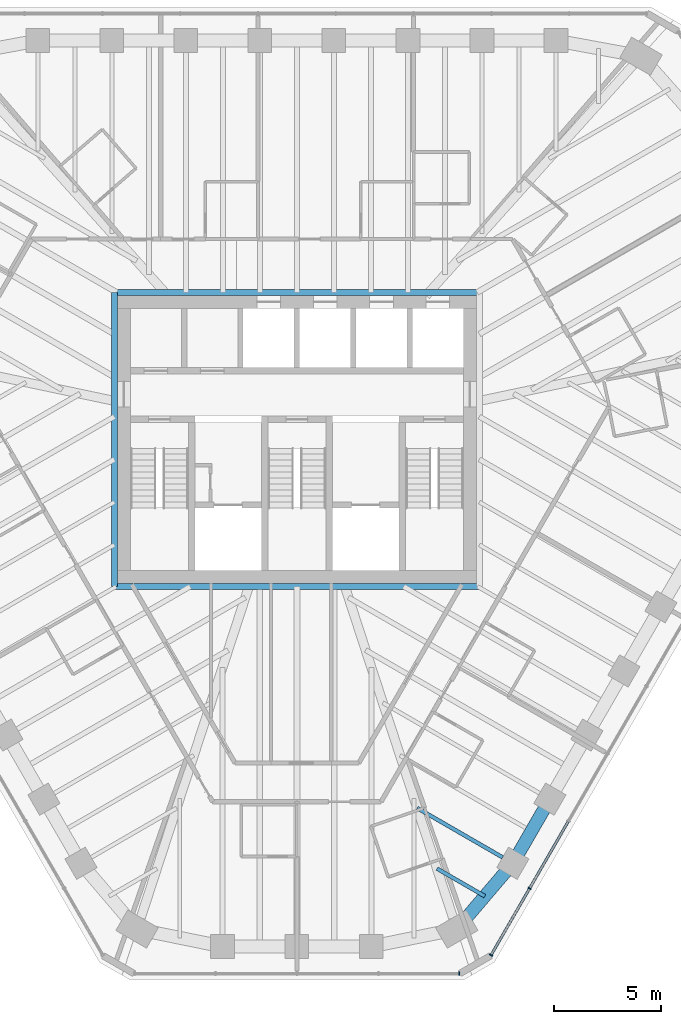
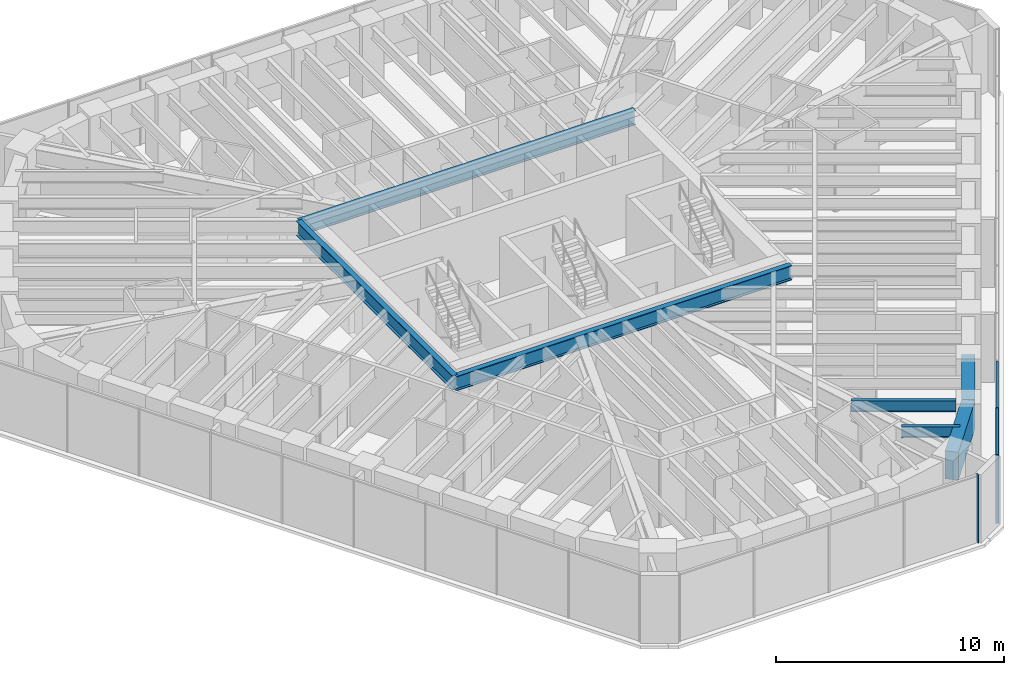
# One storey, part 4 of 14: 7 beams, 5 members, 2 elements without a shape of their own.
"""IFC4 building model written with IfcOpenShell, lengths in metres."""

from ifc_helpers import new_model, si_unit, direction, frame, origin, origin_2d, place, context, subcontext, project, spatial, rectangle, i_section, extrude, material, material_profile, profile_set, type_object, element, aggregate, save


model = new_model("IFC4")

# Units and contexts
model_context = context("Model", 3, precision=1e-05, world=origin(), true_north=direction((0.0, 1.0)))
body_context = subcontext(model_context, "Body", "Model", "MODEL_VIEW")
ifc_project = project(units=[si_unit("LENGTHUNIT", "METRE"), si_unit("AREAUNIT", "SQUARE_METRE"), si_unit("VOLUMEUNIT", "CUBIC_METRE"), si_unit("PLANEANGLEUNIT", "RADIAN"), si_unit("MASSUNIT", "GRAM", prefix="KILO")], contexts=[model_context])

# Site, building, storey
site_placement = place(None, origin())
site = spatial("IfcSite", under=ifc_project, at=site_placement, CompositionType="ELEMENT")
building_placement = place(site_placement, origin())
building = spatial("IfcBuilding", under=site, at=building_placement, Name="Sandreach Pilgrim Tower", CompositionType="ELEMENT")
storey_placement = place(building_placement, frame((0.0, 0.0, 287.39990234375)))
storey = spatial("IfcBuildingStorey", under=building, at=storey_placement, Name="L72", CompositionType="ELEMENT", Elevation=287.39990234375)

# Curtain wall, members
ifc_material_1 = material(Name="Aluminium framed curtain wall", Category="aluminium")
curtain_wall_type = type_object("IfcCurtainWallType", Name="Suite tower curtain wall", PredefinedType="NOTDEFINED", material=ifc_material_1)
curtain_wall_1_placement = place(storey_placement, origin())
curtain_wall_1 = element("IfcCurtainWall", 1, at=curtain_wall_1_placement, inside=storey, type_object=curtain_wall_type, Name="CW-4 L72 SE", PredefinedType="NOTDEFINED")
ifc_material_2 = material(Name="Aluminium extrusion", Category="aluminium")
ifc_material_profile_1 = material_profile(ifc_material_2, rectangle(XDim=0.06005859375, YDim=0.159912109375, at=origin_2d()), Name="CW-4M 60X160")
ifc_profile_set_1 = profile_set([ifc_material_profile_1], Name="Aluminium extrusion")
member_type_1 = type_object("IfcMemberType", Name="CW-4 mullion", PredefinedType="MULLION", material=ifc_profile_set_1)
member_1_placement = place(storey_placement, frame((10.83203125, -20.891357421875, 0.0), z_axis=(0.0, 0.0, 1.0), x_axis=(-0.5, -0.866025403784, 0.0)))
member_1 = element("IfcMember", 2, at=member_1_placement, type_object=member_type_1, Name="CW-4 mullion 9", PredefinedType="MULLION", context=body_context, shape_type="SweptSolid", body=[
    extrude(rectangle(XDim=0.06005859375, YDim=0.159912109375, at=origin_2d()), origin(), (0.0, 0.0, 1.0), 3.64013671875),
])
member_2_placement = place(storey_placement, frame((9.035888671875, -24.001953125, 0.0), z_axis=(0.0, 0.0, 1.0), x_axis=(-0.5, -0.866025403784, 0.0)))
member_2 = element("IfcMember", 3, at=member_2_placement, type_object=member_type_1, Name="CW-4 mullion 10", PredefinedType="MULLION", context=body_context, shape_type="SweptSolid", body=[
    extrude(rectangle(XDim=0.06005859375, YDim=0.159912109375, at=origin_2d()), origin(), (0.0, 0.0, 1.0), 3.64013671875),
])

# Curtain wall, member
curtain_wall_2_placement = place(storey_placement, origin())
curtain_wall_2 = element("IfcCurtainWall", 4, at=curtain_wall_2_placement, inside=storey, type_object=curtain_wall_type, Name="CW-4 L72 S", PredefinedType="NOTDEFINED")
member_3_placement = place(storey_placement, frame((7.553466796875, -24.858154296875, 0.0), z_axis=(0.0, 0.0, 1.0), x_axis=(-1.0, 0.0, 0.0)))
member_3 = element("IfcMember", 5, at=member_3_placement, type_object=member_type_1, Name="CW-4 mullion 1", PredefinedType="MULLION", context=body_context, shape_type="SweptSolid", body=[
    extrude(rectangle(XDim=0.06005859375, YDim=0.159912109375, at=origin_2d()), origin(), (0.0, 0.0, 1.0), 3.64013671875),
])
aggregate(curtain_wall_2, [member_3])

# Member
ifc_material_3 = material(Name="Aluminium extrusion", Category="aluminium")
ifc_material_profile_2 = material_profile(ifc_material_3, rectangle(XDim=0.1201171875, YDim=0.070068359375, at=origin_2d()), Name="CW-4T 120X70")
ifc_profile_set_2 = profile_set([ifc_material_profile_2], Name="Aluminium extrusion")
member_type_2 = type_object("IfcMemberType", Name="CW-4 transom", PredefinedType="USERDEFINED", material=ifc_profile_set_2)
member_4_placement = place(storey_placement, frame((12.6279296875, -17.78076171875, 3.60498046875), z_axis=(-0.500009219579, -0.866020080793, 0.0), x_axis=(0.866020080793, -0.500009219579, 0.0)))
member_4 = element("IfcMember", 6, at=member_4_placement, type_object=member_type_2, Name="CW-4 head transom 8", ObjectType="TRANSOM", PredefinedType="USERDEFINED", context=body_context, shape_type="SweptSolid", body=[
    extrude(rectangle(XDim=0.1201171875, YDim=0.070068359375, at=origin_2d()), origin(), (0.0, 0.0, 1.0), 3.56201171875),
])

member_5_placement = place(storey_placement, frame((10.81689453125, -20.91748046875, 3.60498046875), z_axis=(-0.499997709859, -0.866026725994, 0.0), x_axis=(0.866026725994, -0.499997709859, 0.0)))
member_5 = element("IfcMember", 7, at=member_5_placement, type_object=member_type_2, Name="CW-4 head transom 9", ObjectType="TRANSOM", PredefinedType="USERDEFINED", context=body_context, shape_type="SweptSolid", body=[
    extrude(rectangle(XDim=0.1201171875, YDim=0.070068359375, at=origin_2d()), origin(), (0.0, 0.0, 1.0), 3.53173828125),
])

aggregate(curtain_wall_1, [member_1, member_2, member_4, member_5])

# Beams
ifc_material_4 = material(Name="Steel ASTM A992 Grade 50", Category="steel")
ifc_material_profile_3 = material_profile(ifc_material_4, i_section(OverallWidth=0.2666015625, OverallDepth=0.77978515625, WebThickness=0.0166015625, FlangeThickness=0.030029296875, at=origin_2d()), Name="W30X148")
ifc_profile_set_3 = profile_set([ifc_material_profile_3], Name="Steel ASTM A992 Grade 50")
beam_type_1 = type_object("IfcBeamType", Name="Core edge beam W30X148", PredefinedType="BEAM", material=ifc_profile_set_3)
for number, where, z_axis, x_axis, name in (
    (8, (-8.493408203125, 6.84326171875, 3.250244140625), (1.0, 0.0, 0.0), (0.0, 1.0, 0.0), "BM L72 CEN"),
    (9, (8.493408203125, -6.84326171875, 3.250244140625), (-1.0, 0.0, 0.0), (0.0, -1.0, 0.0), "BM L72 CES"),
):
    element("IfcBeam", number, at=place(storey_placement, frame(where, z_axis=z_axis, x_axis=x_axis)), inside=storey, type_object=beam_type_1, Name=name, PredefinedType="BEAM", context=body_context, shape_type="SweptSolid", body=[
        extrude(i_section(OverallWidth=0.2666015625, OverallDepth=0.77978515625, WebThickness=0.0166015625, FlangeThickness=0.030029296875, at=origin_2d()), origin(), (0.0, 0.0, 1.0), 16.98681640625),
    ])
beam_1_placement = place(storey_placement, frame((-8.493408203125, -6.84326171875, 3.250244140625), z_axis=(0.0, 1.0, 0.0), x_axis=(-1.0, 0.0, 0.0)))
element("IfcBeam", 10, at=beam_1_placement, inside=storey, type_object=beam_type_1, Name="BM L72 CEW", PredefinedType="BEAM", context=body_context, shape_type="SweptSolid", body=[
    extrude(i_section(OverallWidth=0.2666015625, OverallDepth=0.77978515625, WebThickness=0.0166015625, FlangeThickness=0.030029296875, at=origin_2d()), origin(), (0.0, 0.0, 1.0), 13.6865234375),
])
ifc_material_5 = material(Name="Steel ASTM A992 Grade 50", Category="steel")
ifc_material_profile_4 = material_profile(ifc_material_5, i_section(OverallWidth=0.1787109375, OverallDepth=0.60205078125, WebThickness=0.010986328125, FlangeThickness=0.014892578125, at=origin_2d()), Name="W24X62")
ifc_profile_set_4 = profile_set([ifc_material_profile_4], Name="Steel ASTM A992 Grade 50")
beam_type_2 = type_object("IfcBeamType", Name="Floor beam W24X62", PredefinedType="BEAM", material=ifc_profile_set_4)
beam_2_placement = place(storey_placement, frame((9.573974609375, -19.450439453125, 3.339111328125), z_axis=(-0.866024320471, 0.50000187635, 0.0), x_axis=(-0.50000187635, -0.866024320471, 0.0)))
element("IfcBeam", 11, at=beam_2_placement, inside=storey, type_object=beam_type_2, Name="BM L72 F21", PredefinedType="BEAM", context=body_context, shape_type="SweptSolid", body=[
    extrude(i_section(OverallWidth=0.1787109375, OverallDepth=0.60205078125, WebThickness=0.010986328125, FlangeThickness=0.014892578125, at=origin_2d()), origin(), (0.0, 0.0, 1.0), 4.58837890625),
])
beam_3_placement = place(storey_placement, frame((8.74462890625, -21.25732421875, 3.339111328125), z_axis=(-0.866041575714, 0.49997198835, 0.0), x_axis=(-0.49997198835, -0.866041575714, 0.0)))
element("IfcBeam", 12, at=beam_3_placement, inside=storey, type_object=beam_type_2, Name="BM L72 FM21", PredefinedType="BEAM", context=body_context, shape_type="SweptSolid", body=[
    extrude(i_section(OverallWidth=0.1787109375, OverallDepth=0.60205078125, WebThickness=0.010986328125, FlangeThickness=0.014892578125, at=origin_2d()), origin(), (0.0, 0.0, 1.0), 2.569091796875),
])
ifc_material_6 = material(Name="Concrete 10000 psi", Category="concrete")
ifc_material_profile_5 = material_profile(ifc_material_6, rectangle(XDim=0.60009765625, YDim=1.5, at=origin_2d()), Name="RC600X1500")
ifc_profile_set_5 = profile_set([ifc_material_profile_5], Name="Concrete 10000 psi")
beam_type_3 = type_object("IfcBeamType", Name="Spandrel beam RC600X1500", PredefinedType="SPANDREL", material=ifc_profile_set_5)
beam_4_placement = place(storey_placement, frame((11.772705078125, -16.741943359375, 2.89013671875), z_axis=(-0.499988291006, -0.866032163869, 0.0), x_axis=(0.866032163869, -0.499988291006, 0.0)))
element("IfcBeam", 13, at=beam_4_placement, inside=storey, type_object=beam_type_3, Name="BM L72 SP20", PredefinedType="SPANDREL", context=body_context, shape_type="SweptSolid", body=[
    extrude(rectangle(XDim=0.60009765625, YDim=1.5, at=origin_2d()), origin(), (0.0, 0.0, 1.0), 3.44482421875),
])
beam_5_placement = place(storey_placement, frame((10.05029296875, -19.725341796875, 2.89013671875), z_axis=(-0.648586192707, -0.761141215958, 0.0), x_axis=(0.761141215958, -0.648586192707, 0.0)))
element("IfcBeam", 14, at=beam_5_placement, inside=storey, type_object=beam_type_3, Name="BM L72 SP21", PredefinedType="SPANDREL", context=body_context, shape_type="SweptSolid", body=[
    extrude(rectangle(XDim=0.60009765625, YDim=1.5, at=origin_2d()), origin(), (0.0, 0.0, 1.0), 4.02587890625),
])

save(model, "model.ifc")
